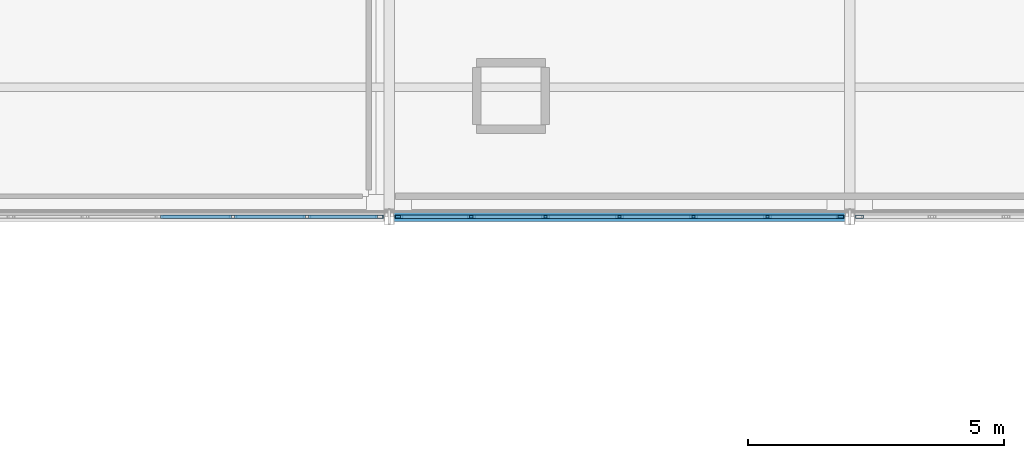
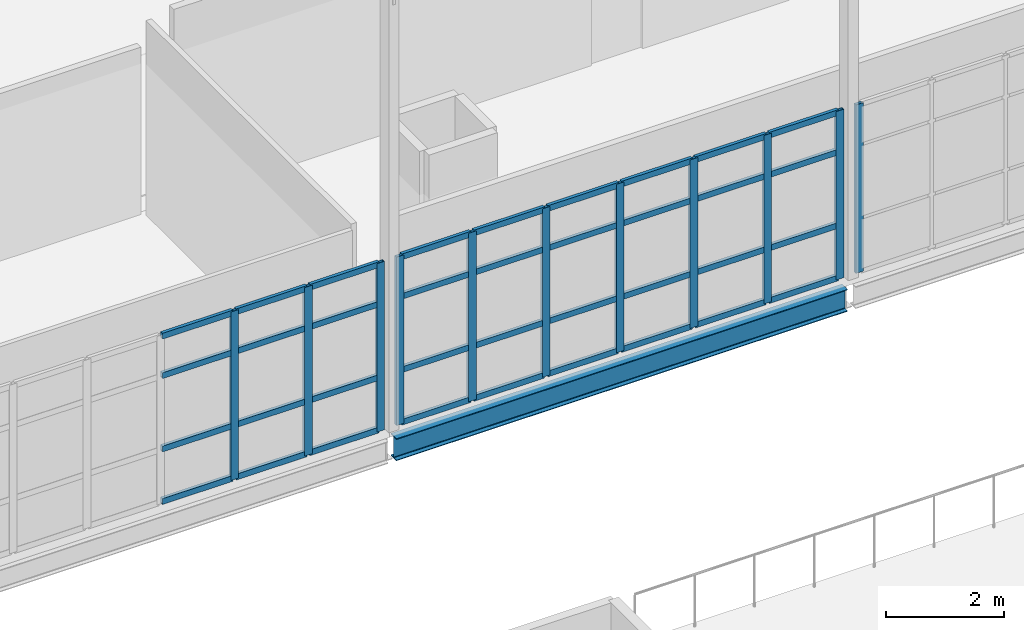
# One storey, part 31 of 166: 47 members, 1 beam, 3 elements without a shape of their own.
"""IFC4 building model written with IfcOpenShell, lengths in metres."""

from ifc_helpers import new_model, si_unit, direction, frame, origin, origin_2d, place, context, subcontext, project, spatial, hollow_rectangle, i_section, extrude, material, material_profile, profile_set, type_object, element, aggregate, save


model = new_model("IFC4")

# Units and contexts
model_context = context("Model", 3, precision=1e-05, world=origin(), true_north=direction((0.0, 1.0)))
body_context = subcontext(model_context, "Body", "Model", "MODEL_VIEW")
ifc_project = project(units=[si_unit("LENGTHUNIT", "METRE"), si_unit("AREAUNIT", "SQUARE_METRE"), si_unit("VOLUMEUNIT", "CUBIC_METRE"), si_unit("PLANEANGLEUNIT", "RADIAN"), si_unit("MASSUNIT", "GRAM", prefix="KILO")], contexts=[model_context])

# Site, building, storey
site_placement = place(None, origin())
site = spatial("IfcSite", under=ifc_project, at=site_placement, CompositionType="ELEMENT")
building_placement = place(site_placement, origin())
building = spatial("IfcBuilding", under=site, at=building_placement, Name="Caisbarro Railhouse Central Library", CompositionType="ELEMENT")
storey_placement = place(building_placement, frame((0.0, 0.0, 9.360107421875)))
storey = spatial("IfcBuildingStorey", under=building, at=storey_placement, Name="L02", CompositionType="ELEMENT", Elevation=9.360107421875)

# Beam
ifc_material_1 = material(Name="Steel ASTM A572 Grade 50", Category="steel")
ifc_material_profile_1 = material_profile(ifc_material_1, i_section(OverallWidth=0.18994140625, OverallDepth=0.45703125, WebThickness=0.009033203125, FlangeThickness=0.014404296875, FilletRadius=0.01806640625, at=origin_2d()), Name="W460X74.0")
ifc_profile_set_1 = profile_set([ifc_material_profile_1], Name="Steel ASTM A572 Grade 50")
beam_type = type_object("IfcBeamType", Name="BM-SP01", PredefinedType="SPANDREL", material=ifc_profile_set_1)
beam_placement = place(storey_placement, frame((36.080078125, 30.39990234375, -0.448486328125), z_axis=(1.0, 0.0, 0.0), x_axis=(0.0, 1.0, 0.0)))
element("IfcBeam", 1, at=beam_placement, inside=storey, type_object=beam_type, Name="SP01 beam L02 #1355", PredefinedType="SPANDREL", context=body_context, shape_type="SweptSolid", body=[
    extrude(i_section(OverallWidth=0.18994140625, OverallDepth=0.45703125, WebThickness=0.009033203125, FlangeThickness=0.014404296875, FilletRadius=0.01806640625, at=origin_2d()), origin(), (0.0, 0.0, 1.0), 8.83984375),
])

# Curtain wall, members
ifc_material_2 = material(Name="Anodised architectural aluminium", Category="aluminium")
curtain_wall_type = type_object("IfcCurtainWallType", Name="CW-CW02", PredefinedType="NOTDEFINED", material=ifc_material_2)
curtain_wall_1_placement = place(storey_placement, origin())
curtain_wall_1 = element("IfcCurtainWall", 2, at=curtain_wall_1_placement, inside=storey, type_object=curtain_wall_type, Name="CW02 curtain wall L02 #45", PredefinedType="NOTDEFINED")
ifc_material_profile_2 = material_profile(ifc_material_2, hollow_rectangle(XDim=0.06494140625, YDim=0.14990234375, WallThickness=0.00390625, at=origin_2d()), Name="ALU-MUL-65X150")
ifc_profile_set_2 = profile_set([ifc_material_profile_2], Name="Anodised architectural aluminium")
member_type_1 = type_object("IfcMemberType", Name="CWM-M02", PredefinedType="MULLION", material=ifc_profile_set_2)
member_1_placement = place(storey_placement, frame((32.94677734375, 30.39990234375, 0.0), z_axis=(0.0, 0.0, 1.0), x_axis=(0.0, 1.0, 0.0)))
member_1 = element("IfcMember", 3, at=member_1_placement, type_object=member_type_1, Name="CW02 mullion 5", PredefinedType="MULLION", context=body_context, shape_type="SweptSolid", body=[
    extrude(hollow_rectangle(XDim=0.06494140625, YDim=0.14990234375, WallThickness=0.00390625, at=origin_2d()), origin(), (0.0, 0.0, 1.0), 3.489990234375),
])
member_2_placement = place(storey_placement, frame((34.393310546875, 30.39990234375, 0.0), z_axis=(0.0, 0.0, 1.0), x_axis=(0.0, 1.0, 0.0)))
member_2 = element("IfcMember", 4, at=member_2_placement, type_object=member_type_1, Name="CW02 mullion 6", PredefinedType="MULLION", context=body_context, shape_type="SweptSolid", body=[
    extrude(hollow_rectangle(XDim=0.06494140625, YDim=0.14990234375, WallThickness=0.00390625, at=origin_2d()), origin(), (0.0, 0.0, 1.0), 3.489990234375),
])
member_3_placement = place(storey_placement, frame((35.8076171875, 30.39990234375, 0.0), z_axis=(0.0, 0.0, 1.0), x_axis=(0.0, 1.0, 0.0)))
member_3 = element("IfcMember", 5, at=member_3_placement, type_object=member_type_1, Name="CW02 mullion 7", PredefinedType="MULLION", context=body_context, shape_type="SweptSolid", body=[
    extrude(hollow_rectangle(XDim=0.06494140625, YDim=0.14990234375, WallThickness=0.00390625, at=origin_2d()), origin(), (0.0, 0.0, 1.0), 3.489990234375),
])

curtain_wall_2_placement = place(storey_placement, origin())
curtain_wall_2 = element("IfcCurtainWall", 6, at=curtain_wall_2_placement, inside=storey, type_object=curtain_wall_type, Name="CW02 curtain wall L02 #46", PredefinedType="NOTDEFINED")
member_4_placement = place(storey_placement, frame((36.1923828125, 30.39990234375, 0.0), z_axis=(0.0, 0.0, 1.0), x_axis=(0.0, 1.0, 0.0)))
member_4 = element("IfcMember", 7, at=member_4_placement, type_object=member_type_1, Name="CW02 mullion 1", PredefinedType="MULLION", context=body_context, shape_type="SweptSolid", body=[
    extrude(hollow_rectangle(XDim=0.06494140625, YDim=0.14990234375, WallThickness=0.00390625, at=origin_2d()), origin(), (0.0, 0.0, 1.0), 3.489990234375),
])
member_5_placement = place(storey_placement, frame((37.606689453125, 30.39990234375, 0.0), z_axis=(0.0, 0.0, 1.0), x_axis=(0.0, 1.0, 0.0)))
member_5 = element("IfcMember", 8, at=member_5_placement, type_object=member_type_1, Name="CW02 mullion 2", PredefinedType="MULLION", context=body_context, shape_type="SweptSolid", body=[
    extrude(hollow_rectangle(XDim=0.06494140625, YDim=0.14990234375, WallThickness=0.00390625, at=origin_2d()), origin(), (0.0, 0.0, 1.0), 3.489990234375),
])
member_6_placement = place(storey_placement, frame((39.05322265625, 30.39990234375, 0.0), z_axis=(0.0, 0.0, 1.0), x_axis=(0.0, 1.0, 0.0)))
member_6 = element("IfcMember", 9, at=member_6_placement, type_object=member_type_1, Name="CW02 mullion 3", PredefinedType="MULLION", context=body_context, shape_type="SweptSolid", body=[
    extrude(hollow_rectangle(XDim=0.06494140625, YDim=0.14990234375, WallThickness=0.00390625, at=origin_2d()), origin(), (0.0, 0.0, 1.0), 3.489990234375),
])
member_7_placement = place(storey_placement, frame((40.5, 30.39990234375, 0.0), z_axis=(0.0, 0.0, 1.0), x_axis=(0.0, 1.0, 0.0)))
member_7 = element("IfcMember", 10, at=member_7_placement, type_object=member_type_1, Name="CW02 mullion 4", PredefinedType="MULLION", context=body_context, shape_type="SweptSolid", body=[
    extrude(hollow_rectangle(XDim=0.06494140625, YDim=0.14990234375, WallThickness=0.00390625, at=origin_2d()), origin(), (0.0, 0.0, 1.0), 3.489990234375),
])
member_8_placement = place(storey_placement, frame((41.94677734375, 30.39990234375, 0.0), z_axis=(0.0, 0.0, 1.0), x_axis=(0.0, 1.0, 0.0)))
member_8 = element("IfcMember", 11, at=member_8_placement, type_object=member_type_1, Name="CW02 mullion 5", PredefinedType="MULLION", context=body_context, shape_type="SweptSolid", body=[
    extrude(hollow_rectangle(XDim=0.06494140625, YDim=0.14990234375, WallThickness=0.00390625, at=origin_2d()), origin(), (0.0, 0.0, 1.0), 3.489990234375),
])
member_9_placement = place(storey_placement, frame((43.393310546875, 30.39990234375, 0.0), z_axis=(0.0, 0.0, 1.0), x_axis=(0.0, 1.0, 0.0)))
member_9 = element("IfcMember", 12, at=member_9_placement, type_object=member_type_1, Name="CW02 mullion 6", PredefinedType="MULLION", context=body_context, shape_type="SweptSolid", body=[
    extrude(hollow_rectangle(XDim=0.06494140625, YDim=0.14990234375, WallThickness=0.00390625, at=origin_2d()), origin(), (0.0, 0.0, 1.0), 3.489990234375),
])
member_10_placement = place(storey_placement, frame((44.8076171875, 30.39990234375, 0.0), z_axis=(0.0, 0.0, 1.0), x_axis=(0.0, 1.0, 0.0)))
member_10 = element("IfcMember", 13, at=member_10_placement, type_object=member_type_1, Name="CW02 mullion 7", PredefinedType="MULLION", context=body_context, shape_type="SweptSolid", body=[
    extrude(hollow_rectangle(XDim=0.06494140625, YDim=0.14990234375, WallThickness=0.00390625, at=origin_2d()), origin(), (0.0, 0.0, 1.0), 3.489990234375),
])

# Curtain wall, member
curtain_wall_3_placement = place(storey_placement, origin())
curtain_wall_3 = element("IfcCurtainWall", 14, at=curtain_wall_3_placement, inside=storey, type_object=curtain_wall_type, Name="CW02 curtain wall L02 #47", PredefinedType="NOTDEFINED")
member_11_placement = place(storey_placement, frame((45.1923828125, 30.39990234375, 0.0), z_axis=(0.0, 0.0, 1.0), x_axis=(0.0, 1.0, 0.0)))
member_11 = element("IfcMember", 15, at=member_11_placement, type_object=member_type_1, Name="CW02 mullion 1", PredefinedType="MULLION", context=body_context, shape_type="SweptSolid", body=[
    extrude(hollow_rectangle(XDim=0.06494140625, YDim=0.14990234375, WallThickness=0.00390625, at=origin_2d()), origin(), (0.0, 0.0, 1.0), 3.489990234375),
])
aggregate(curtain_wall_3, [member_11])

# Member
ifc_material_profile_3 = material_profile(ifc_material_2, hollow_rectangle(XDim=0.06494140625, YDim=0.1201171875, WallThickness=0.00341796875, at=origin_2d()), Name="ALU-TRN-65X120")
ifc_profile_set_3 = profile_set([ifc_material_profile_3], Name="Anodised architectural aluminium")
member_type_2 = type_object("IfcMemberType", Name="CWT-T02", PredefinedType="USERDEFINED", material=ifc_profile_set_3)
member_12_placement = place(storey_placement, frame((31.532470703125, 30.39990234375, 0.032470703125), z_axis=(1.0, 0.0, 0.0), x_axis=(0.0, 1.0, 0.0)))
member_12 = element("IfcMember", 16, at=member_12_placement, type_object=member_type_2, Name="CW02 transom 4.1", ObjectType="TRANSOM", PredefinedType="USERDEFINED", context=body_context, shape_type="SweptSolid", body=[
    extrude(hollow_rectangle(XDim=0.06494140625, YDim=0.1201171875, WallThickness=0.00341796875, at=origin_2d()), origin(), (0.0, 0.0, 1.0), 1.381591796875),
])

member_13_placement = place(storey_placement, frame((31.532470703125, 30.39990234375, 1.119873046875), z_axis=(1.0, 0.0, 0.0), x_axis=(0.0, 1.0, 0.0)))
member_13 = element("IfcMember", 17, at=member_13_placement, type_object=member_type_2, Name="CW02 transom 4.2", ObjectType="TRANSOM", PredefinedType="USERDEFINED", context=body_context, shape_type="SweptSolid", body=[
    extrude(hollow_rectangle(XDim=0.06494140625, YDim=0.1201171875, WallThickness=0.00341796875, at=origin_2d()), origin(), (0.0, 0.0, 1.0), 1.381591796875),
])

member_14_placement = place(storey_placement, frame((31.532470703125, 30.39990234375, 2.639892578125), z_axis=(1.0, 0.0, 0.0), x_axis=(0.0, 1.0, 0.0)))
member_14 = element("IfcMember", 18, at=member_14_placement, type_object=member_type_2, Name="CW02 transom 4.3", ObjectType="TRANSOM", PredefinedType="USERDEFINED", context=body_context, shape_type="SweptSolid", body=[
    extrude(hollow_rectangle(XDim=0.06494140625, YDim=0.1201171875, WallThickness=0.00341796875, at=origin_2d()), origin(), (0.0, 0.0, 1.0), 1.381591796875),
])

member_15_placement = place(storey_placement, frame((31.532470703125, 30.39990234375, 3.457275390625), z_axis=(1.0, 0.0, 0.0), x_axis=(0.0, 1.0, 0.0)))
member_15 = element("IfcMember", 19, at=member_15_placement, type_object=member_type_2, Name="CW02 transom 4.4", ObjectType="TRANSOM", PredefinedType="USERDEFINED", context=body_context, shape_type="SweptSolid", body=[
    extrude(hollow_rectangle(XDim=0.06494140625, YDim=0.1201171875, WallThickness=0.00341796875, at=origin_2d()), origin(), (0.0, 0.0, 1.0), 1.381591796875),
])

member_16_placement = place(storey_placement, frame((32.979248046875, 30.39990234375, 0.032470703125), z_axis=(1.0, 0.0, 0.0), x_axis=(0.0, 1.0, 0.0)))
member_16 = element("IfcMember", 20, at=member_16_placement, type_object=member_type_2, Name="CW02 transom 5.1", ObjectType="TRANSOM", PredefinedType="USERDEFINED", context=body_context, shape_type="SweptSolid", body=[
    extrude(hollow_rectangle(XDim=0.06494140625, YDim=0.1201171875, WallThickness=0.00341796875, at=origin_2d()), origin(), (0.0, 0.0, 1.0), 1.381591796875),
])

member_17_placement = place(storey_placement, frame((32.979248046875, 30.39990234375, 1.119873046875), z_axis=(1.0, 0.0, 0.0), x_axis=(0.0, 1.0, 0.0)))
member_17 = element("IfcMember", 21, at=member_17_placement, type_object=member_type_2, Name="CW02 transom 5.2", ObjectType="TRANSOM", PredefinedType="USERDEFINED", context=body_context, shape_type="SweptSolid", body=[
    extrude(hollow_rectangle(XDim=0.06494140625, YDim=0.1201171875, WallThickness=0.00341796875, at=origin_2d()), origin(), (0.0, 0.0, 1.0), 1.381591796875),
])

member_18_placement = place(storey_placement, frame((32.979248046875, 30.39990234375, 2.639892578125), z_axis=(1.0, 0.0, 0.0), x_axis=(0.0, 1.0, 0.0)))
member_18 = element("IfcMember", 22, at=member_18_placement, type_object=member_type_2, Name="CW02 transom 5.3", ObjectType="TRANSOM", PredefinedType="USERDEFINED", context=body_context, shape_type="SweptSolid", body=[
    extrude(hollow_rectangle(XDim=0.06494140625, YDim=0.1201171875, WallThickness=0.00341796875, at=origin_2d()), origin(), (0.0, 0.0, 1.0), 1.381591796875),
])

member_19_placement = place(storey_placement, frame((32.979248046875, 30.39990234375, 3.457275390625), z_axis=(1.0, 0.0, 0.0), x_axis=(0.0, 1.0, 0.0)))
member_19 = element("IfcMember", 23, at=member_19_placement, type_object=member_type_2, Name="CW02 transom 5.4", ObjectType="TRANSOM", PredefinedType="USERDEFINED", context=body_context, shape_type="SweptSolid", body=[
    extrude(hollow_rectangle(XDim=0.06494140625, YDim=0.1201171875, WallThickness=0.00341796875, at=origin_2d()), origin(), (0.0, 0.0, 1.0), 1.381591796875),
])

member_20_placement = place(storey_placement, frame((34.42578125, 30.39990234375, 0.032470703125), z_axis=(1.0, 0.0, 0.0), x_axis=(0.0, 1.0, 0.0)))
member_20 = element("IfcMember", 24, at=member_20_placement, type_object=member_type_2, Name="CW02 transom 6.1", ObjectType="TRANSOM", PredefinedType="USERDEFINED", context=body_context, shape_type="SweptSolid", body=[
    extrude(hollow_rectangle(XDim=0.06494140625, YDim=0.1201171875, WallThickness=0.00341796875, at=origin_2d()), origin(), (0.0, 0.0, 1.0), 1.34912109375),
])

member_21_placement = place(storey_placement, frame((34.42578125, 30.39990234375, 1.119873046875), z_axis=(1.0, 0.0, 0.0), x_axis=(0.0, 1.0, 0.0)))
member_21 = element("IfcMember", 25, at=member_21_placement, type_object=member_type_2, Name="CW02 transom 6.2", ObjectType="TRANSOM", PredefinedType="USERDEFINED", context=body_context, shape_type="SweptSolid", body=[
    extrude(hollow_rectangle(XDim=0.06494140625, YDim=0.1201171875, WallThickness=0.00341796875, at=origin_2d()), origin(), (0.0, 0.0, 1.0), 1.34912109375),
])

member_22_placement = place(storey_placement, frame((34.42578125, 30.39990234375, 2.639892578125), z_axis=(1.0, 0.0, 0.0), x_axis=(0.0, 1.0, 0.0)))
member_22 = element("IfcMember", 26, at=member_22_placement, type_object=member_type_2, Name="CW02 transom 6.3", ObjectType="TRANSOM", PredefinedType="USERDEFINED", context=body_context, shape_type="SweptSolid", body=[
    extrude(hollow_rectangle(XDim=0.06494140625, YDim=0.1201171875, WallThickness=0.00341796875, at=origin_2d()), origin(), (0.0, 0.0, 1.0), 1.34912109375),
])

member_23_placement = place(storey_placement, frame((34.42578125, 30.39990234375, 3.457275390625), z_axis=(1.0, 0.0, 0.0), x_axis=(0.0, 1.0, 0.0)))
member_23 = element("IfcMember", 27, at=member_23_placement, type_object=member_type_2, Name="CW02 transom 6.4", ObjectType="TRANSOM", PredefinedType="USERDEFINED", context=body_context, shape_type="SweptSolid", body=[
    extrude(hollow_rectangle(XDim=0.06494140625, YDim=0.1201171875, WallThickness=0.00341796875, at=origin_2d()), origin(), (0.0, 0.0, 1.0), 1.34912109375),
])

aggregate(curtain_wall_1, [member_1, member_2, member_3, member_12, member_13, member_14, member_15, member_16, member_17, member_18, member_19, member_20, member_21, member_22, member_23])

member_24_placement = place(storey_placement, frame((36.22509765625, 30.39990234375, 0.032470703125), z_axis=(1.0, 0.0, 0.0), x_axis=(0.0, 1.0, 0.0)))
member_24 = element("IfcMember", 28, at=member_24_placement, type_object=member_type_2, Name="CW02 transom 1.1", ObjectType="TRANSOM", PredefinedType="USERDEFINED", context=body_context, shape_type="SweptSolid", body=[
    extrude(hollow_rectangle(XDim=0.06494140625, YDim=0.1201171875, WallThickness=0.00341796875, at=origin_2d()), origin(), (0.0, 0.0, 1.0), 1.34912109375),
])

member_25_placement = place(storey_placement, frame((36.22509765625, 30.39990234375, 1.119873046875), z_axis=(1.0, 0.0, 0.0), x_axis=(0.0, 1.0, 0.0)))
member_25 = element("IfcMember", 29, at=member_25_placement, type_object=member_type_2, Name="CW02 transom 1.2", ObjectType="TRANSOM", PredefinedType="USERDEFINED", context=body_context, shape_type="SweptSolid", body=[
    extrude(hollow_rectangle(XDim=0.06494140625, YDim=0.1201171875, WallThickness=0.00341796875, at=origin_2d()), origin(), (0.0, 0.0, 1.0), 1.34912109375),
])

member_26_placement = place(storey_placement, frame((36.22509765625, 30.39990234375, 2.639892578125), z_axis=(1.0, 0.0, 0.0), x_axis=(0.0, 1.0, 0.0)))
member_26 = element("IfcMember", 30, at=member_26_placement, type_object=member_type_2, Name="CW02 transom 1.3", ObjectType="TRANSOM", PredefinedType="USERDEFINED", context=body_context, shape_type="SweptSolid", body=[
    extrude(hollow_rectangle(XDim=0.06494140625, YDim=0.1201171875, WallThickness=0.00341796875, at=origin_2d()), origin(), (0.0, 0.0, 1.0), 1.34912109375),
])

member_27_placement = place(storey_placement, frame((36.22509765625, 30.39990234375, 3.457275390625), z_axis=(1.0, 0.0, 0.0), x_axis=(0.0, 1.0, 0.0)))
member_27 = element("IfcMember", 31, at=member_27_placement, type_object=member_type_2, Name="CW02 transom 1.4", ObjectType="TRANSOM", PredefinedType="USERDEFINED", context=body_context, shape_type="SweptSolid", body=[
    extrude(hollow_rectangle(XDim=0.06494140625, YDim=0.1201171875, WallThickness=0.00341796875, at=origin_2d()), origin(), (0.0, 0.0, 1.0), 1.34912109375),
])

member_28_placement = place(storey_placement, frame((37.63916015625, 30.39990234375, 0.032470703125), z_axis=(1.0, 0.0, 0.0), x_axis=(0.0, 1.0, 0.0)))
member_28 = element("IfcMember", 32, at=member_28_placement, type_object=member_type_2, Name="CW02 transom 2.1", ObjectType="TRANSOM", PredefinedType="USERDEFINED", context=body_context, shape_type="SweptSolid", body=[
    extrude(hollow_rectangle(XDim=0.06494140625, YDim=0.1201171875, WallThickness=0.00341796875, at=origin_2d()), origin(), (0.0, 0.0, 1.0), 1.381591796875),
])

member_29_placement = place(storey_placement, frame((37.63916015625, 30.39990234375, 1.119873046875), z_axis=(1.0, 0.0, 0.0), x_axis=(0.0, 1.0, 0.0)))
member_29 = element("IfcMember", 33, at=member_29_placement, type_object=member_type_2, Name="CW02 transom 2.2", ObjectType="TRANSOM", PredefinedType="USERDEFINED", context=body_context, shape_type="SweptSolid", body=[
    extrude(hollow_rectangle(XDim=0.06494140625, YDim=0.1201171875, WallThickness=0.00341796875, at=origin_2d()), origin(), (0.0, 0.0, 1.0), 1.381591796875),
])

member_30_placement = place(storey_placement, frame((37.63916015625, 30.39990234375, 2.639892578125), z_axis=(1.0, 0.0, 0.0), x_axis=(0.0, 1.0, 0.0)))
member_30 = element("IfcMember", 34, at=member_30_placement, type_object=member_type_2, Name="CW02 transom 2.3", ObjectType="TRANSOM", PredefinedType="USERDEFINED", context=body_context, shape_type="SweptSolid", body=[
    extrude(hollow_rectangle(XDim=0.06494140625, YDim=0.1201171875, WallThickness=0.00341796875, at=origin_2d()), origin(), (0.0, 0.0, 1.0), 1.381591796875),
])

member_31_placement = place(storey_placement, frame((37.63916015625, 30.39990234375, 3.457275390625), z_axis=(1.0, 0.0, 0.0), x_axis=(0.0, 1.0, 0.0)))
member_31 = element("IfcMember", 35, at=member_31_placement, type_object=member_type_2, Name="CW02 transom 2.4", ObjectType="TRANSOM", PredefinedType="USERDEFINED", context=body_context, shape_type="SweptSolid", body=[
    extrude(hollow_rectangle(XDim=0.06494140625, YDim=0.1201171875, WallThickness=0.00341796875, at=origin_2d()), origin(), (0.0, 0.0, 1.0), 1.381591796875),
])

member_32_placement = place(storey_placement, frame((39.0859375, 30.39990234375, 0.032470703125), z_axis=(1.0, 0.0, 0.0), x_axis=(0.0, 1.0, 0.0)))
member_32 = element("IfcMember", 36, at=member_32_placement, type_object=member_type_2, Name="CW02 transom 3.1", ObjectType="TRANSOM", PredefinedType="USERDEFINED", context=body_context, shape_type="SweptSolid", body=[
    extrude(hollow_rectangle(XDim=0.06494140625, YDim=0.1201171875, WallThickness=0.00341796875, at=origin_2d()), origin(), (0.0, 0.0, 1.0), 1.381591796875),
])

member_33_placement = place(storey_placement, frame((39.0859375, 30.39990234375, 1.119873046875), z_axis=(1.0, 0.0, 0.0), x_axis=(0.0, 1.0, 0.0)))
member_33 = element("IfcMember", 37, at=member_33_placement, type_object=member_type_2, Name="CW02 transom 3.2", ObjectType="TRANSOM", PredefinedType="USERDEFINED", context=body_context, shape_type="SweptSolid", body=[
    extrude(hollow_rectangle(XDim=0.06494140625, YDim=0.1201171875, WallThickness=0.00341796875, at=origin_2d()), origin(), (0.0, 0.0, 1.0), 1.381591796875),
])

member_34_placement = place(storey_placement, frame((39.0859375, 30.39990234375, 2.639892578125), z_axis=(1.0, 0.0, 0.0), x_axis=(0.0, 1.0, 0.0)))
member_34 = element("IfcMember", 38, at=member_34_placement, type_object=member_type_2, Name="CW02 transom 3.3", ObjectType="TRANSOM", PredefinedType="USERDEFINED", context=body_context, shape_type="SweptSolid", body=[
    extrude(hollow_rectangle(XDim=0.06494140625, YDim=0.1201171875, WallThickness=0.00341796875, at=origin_2d()), origin(), (0.0, 0.0, 1.0), 1.381591796875),
])

member_35_placement = place(storey_placement, frame((39.0859375, 30.39990234375, 3.457275390625), z_axis=(1.0, 0.0, 0.0), x_axis=(0.0, 1.0, 0.0)))
member_35 = element("IfcMember", 39, at=member_35_placement, type_object=member_type_2, Name="CW02 transom 3.4", ObjectType="TRANSOM", PredefinedType="USERDEFINED", context=body_context, shape_type="SweptSolid", body=[
    extrude(hollow_rectangle(XDim=0.06494140625, YDim=0.1201171875, WallThickness=0.00341796875, at=origin_2d()), origin(), (0.0, 0.0, 1.0), 1.381591796875),
])

member_36_placement = place(storey_placement, frame((40.532470703125, 30.39990234375, 0.032470703125), z_axis=(1.0, 0.0, 0.0), x_axis=(0.0, 1.0, 0.0)))
member_36 = element("IfcMember", 40, at=member_36_placement, type_object=member_type_2, Name="CW02 transom 4.1", ObjectType="TRANSOM", PredefinedType="USERDEFINED", context=body_context, shape_type="SweptSolid", body=[
    extrude(hollow_rectangle(XDim=0.06494140625, YDim=0.1201171875, WallThickness=0.00341796875, at=origin_2d()), origin(), (0.0, 0.0, 1.0), 1.381591796875),
])

member_37_placement = place(storey_placement, frame((40.532470703125, 30.39990234375, 1.119873046875), z_axis=(1.0, 0.0, 0.0), x_axis=(0.0, 1.0, 0.0)))
member_37 = element("IfcMember", 41, at=member_37_placement, type_object=member_type_2, Name="CW02 transom 4.2", ObjectType="TRANSOM", PredefinedType="USERDEFINED", context=body_context, shape_type="SweptSolid", body=[
    extrude(hollow_rectangle(XDim=0.06494140625, YDim=0.1201171875, WallThickness=0.00341796875, at=origin_2d()), origin(), (0.0, 0.0, 1.0), 1.381591796875),
])

member_38_placement = place(storey_placement, frame((40.532470703125, 30.39990234375, 2.639892578125), z_axis=(1.0, 0.0, 0.0), x_axis=(0.0, 1.0, 0.0)))
member_38 = element("IfcMember", 42, at=member_38_placement, type_object=member_type_2, Name="CW02 transom 4.3", ObjectType="TRANSOM", PredefinedType="USERDEFINED", context=body_context, shape_type="SweptSolid", body=[
    extrude(hollow_rectangle(XDim=0.06494140625, YDim=0.1201171875, WallThickness=0.00341796875, at=origin_2d()), origin(), (0.0, 0.0, 1.0), 1.381591796875),
])

member_39_placement = place(storey_placement, frame((40.532470703125, 30.39990234375, 3.457275390625), z_axis=(1.0, 0.0, 0.0), x_axis=(0.0, 1.0, 0.0)))
member_39 = element("IfcMember", 43, at=member_39_placement, type_object=member_type_2, Name="CW02 transom 4.4", ObjectType="TRANSOM", PredefinedType="USERDEFINED", context=body_context, shape_type="SweptSolid", body=[
    extrude(hollow_rectangle(XDim=0.06494140625, YDim=0.1201171875, WallThickness=0.00341796875, at=origin_2d()), origin(), (0.0, 0.0, 1.0), 1.381591796875),
])

member_40_placement = place(storey_placement, frame((41.979248046875, 30.39990234375, 0.032470703125), z_axis=(1.0, 0.0, 0.0), x_axis=(0.0, 1.0, 0.0)))
member_40 = element("IfcMember", 44, at=member_40_placement, type_object=member_type_2, Name="CW02 transom 5.1", ObjectType="TRANSOM", PredefinedType="USERDEFINED", context=body_context, shape_type="SweptSolid", body=[
    extrude(hollow_rectangle(XDim=0.06494140625, YDim=0.1201171875, WallThickness=0.00341796875, at=origin_2d()), origin(), (0.0, 0.0, 1.0), 1.381591796875),
])

member_41_placement = place(storey_placement, frame((41.979248046875, 30.39990234375, 1.119873046875), z_axis=(1.0, 0.0, 0.0), x_axis=(0.0, 1.0, 0.0)))
member_41 = element("IfcMember", 45, at=member_41_placement, type_object=member_type_2, Name="CW02 transom 5.2", ObjectType="TRANSOM", PredefinedType="USERDEFINED", context=body_context, shape_type="SweptSolid", body=[
    extrude(hollow_rectangle(XDim=0.06494140625, YDim=0.1201171875, WallThickness=0.00341796875, at=origin_2d()), origin(), (0.0, 0.0, 1.0), 1.381591796875),
])

member_42_placement = place(storey_placement, frame((41.979248046875, 30.39990234375, 2.639892578125), z_axis=(1.0, 0.0, 0.0), x_axis=(0.0, 1.0, 0.0)))
member_42 = element("IfcMember", 46, at=member_42_placement, type_object=member_type_2, Name="CW02 transom 5.3", ObjectType="TRANSOM", PredefinedType="USERDEFINED", context=body_context, shape_type="SweptSolid", body=[
    extrude(hollow_rectangle(XDim=0.06494140625, YDim=0.1201171875, WallThickness=0.00341796875, at=origin_2d()), origin(), (0.0, 0.0, 1.0), 1.381591796875),
])

member_43_placement = place(storey_placement, frame((41.979248046875, 30.39990234375, 3.457275390625), z_axis=(1.0, 0.0, 0.0), x_axis=(0.0, 1.0, 0.0)))
member_43 = element("IfcMember", 47, at=member_43_placement, type_object=member_type_2, Name="CW02 transom 5.4", ObjectType="TRANSOM", PredefinedType="USERDEFINED", context=body_context, shape_type="SweptSolid", body=[
    extrude(hollow_rectangle(XDim=0.06494140625, YDim=0.1201171875, WallThickness=0.00341796875, at=origin_2d()), origin(), (0.0, 0.0, 1.0), 1.381591796875),
])

member_44_placement = place(storey_placement, frame((43.42578125, 30.39990234375, 0.032470703125), z_axis=(1.0, 0.0, 0.0), x_axis=(0.0, 1.0, 0.0)))
member_44 = element("IfcMember", 48, at=member_44_placement, type_object=member_type_2, Name="CW02 transom 6.1", ObjectType="TRANSOM", PredefinedType="USERDEFINED", context=body_context, shape_type="SweptSolid", body=[
    extrude(hollow_rectangle(XDim=0.06494140625, YDim=0.1201171875, WallThickness=0.00341796875, at=origin_2d()), origin(), (0.0, 0.0, 1.0), 1.34912109375),
])

member_45_placement = place(storey_placement, frame((43.42578125, 30.39990234375, 1.119873046875), z_axis=(1.0, 0.0, 0.0), x_axis=(0.0, 1.0, 0.0)))
member_45 = element("IfcMember", 49, at=member_45_placement, type_object=member_type_2, Name="CW02 transom 6.2", ObjectType="TRANSOM", PredefinedType="USERDEFINED", context=body_context, shape_type="SweptSolid", body=[
    extrude(hollow_rectangle(XDim=0.06494140625, YDim=0.1201171875, WallThickness=0.00341796875, at=origin_2d()), origin(), (0.0, 0.0, 1.0), 1.34912109375),
])

member_46_placement = place(storey_placement, frame((43.42578125, 30.39990234375, 2.639892578125), z_axis=(1.0, 0.0, 0.0), x_axis=(0.0, 1.0, 0.0)))
member_46 = element("IfcMember", 50, at=member_46_placement, type_object=member_type_2, Name="CW02 transom 6.3", ObjectType="TRANSOM", PredefinedType="USERDEFINED", context=body_context, shape_type="SweptSolid", body=[
    extrude(hollow_rectangle(XDim=0.06494140625, YDim=0.1201171875, WallThickness=0.00341796875, at=origin_2d()), origin(), (0.0, 0.0, 1.0), 1.34912109375),
])

member_47_placement = place(storey_placement, frame((43.42578125, 30.39990234375, 3.457275390625), z_axis=(1.0, 0.0, 0.0), x_axis=(0.0, 1.0, 0.0)))
member_47 = element("IfcMember", 51, at=member_47_placement, type_object=member_type_2, Name="CW02 transom 6.4", ObjectType="TRANSOM", PredefinedType="USERDEFINED", context=body_context, shape_type="SweptSolid", body=[
    extrude(hollow_rectangle(XDim=0.06494140625, YDim=0.1201171875, WallThickness=0.00341796875, at=origin_2d()), origin(), (0.0, 0.0, 1.0), 1.34912109375),
])

aggregate(curtain_wall_2, [member_4, member_5, member_6, member_7, member_8, member_9, member_10, member_24, member_25, member_26, member_27, member_28, member_29, member_30, member_31, member_32, member_33, member_34, member_35, member_36, member_37, member_38, member_39, member_40, member_41, member_42, member_43, member_44, member_45, member_46, member_47])

save(model, "model.ifc")
